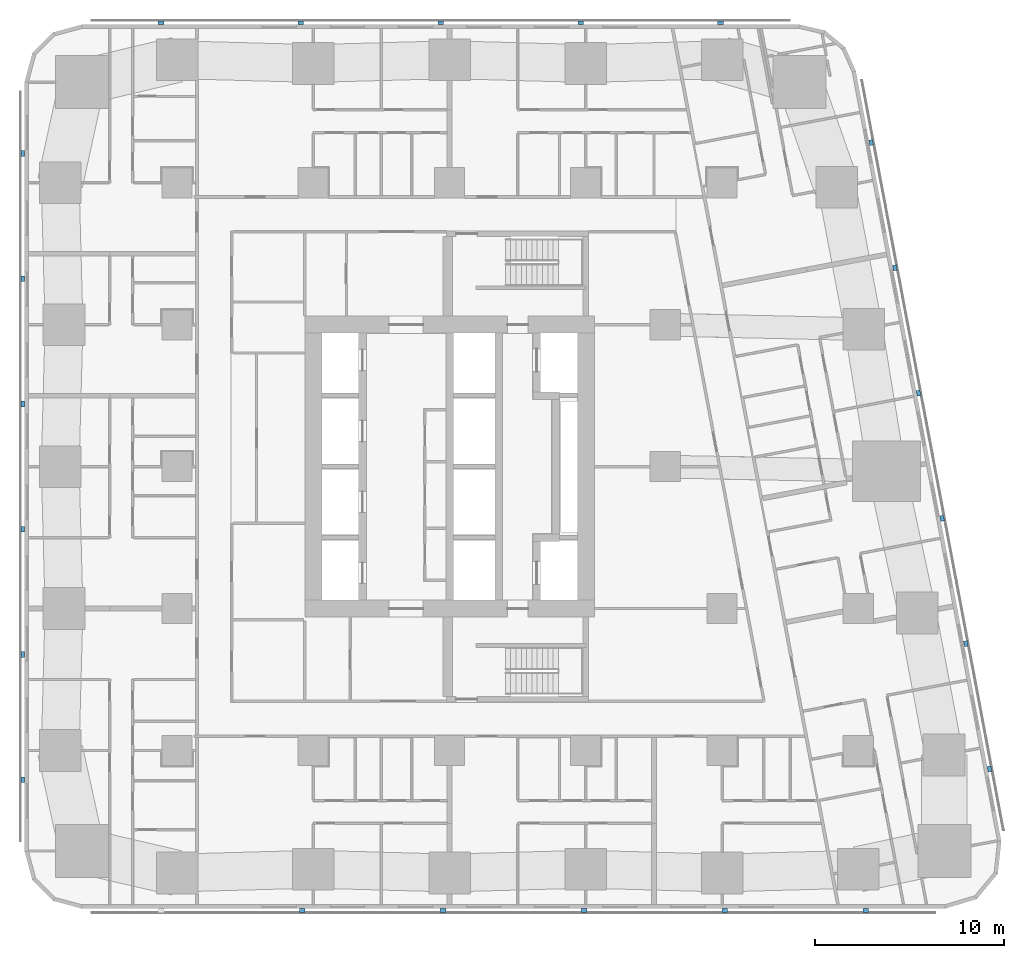
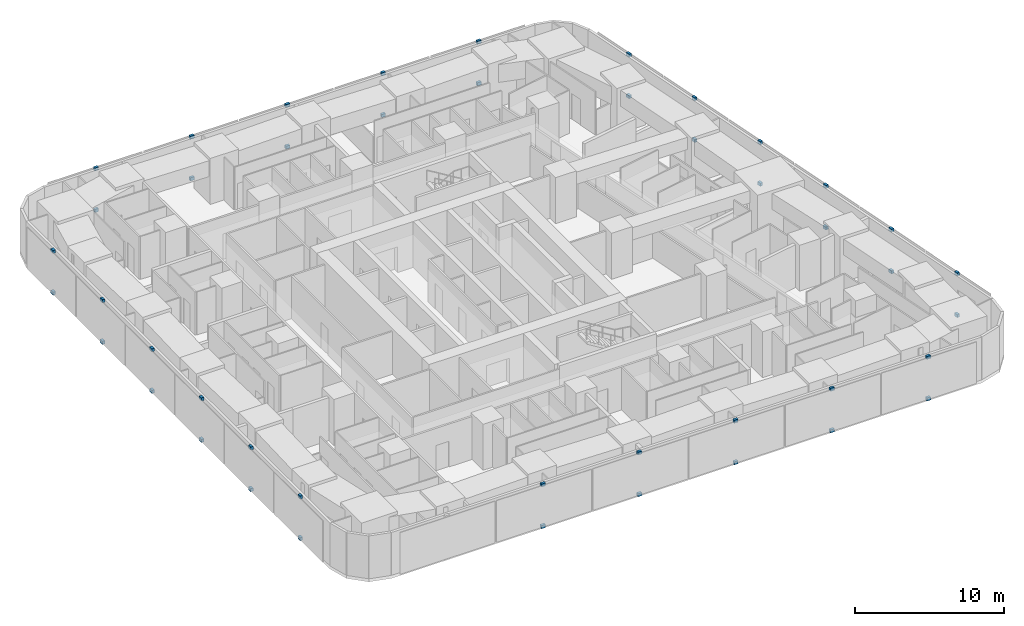
# One storey, part 11 of 15: 44 discrete accessories.
"""IFC4 building model written with IfcOpenShell, lengths in metres."""

from ifc_helpers import new_model, si_unit, direction, frame, origin, origin_2d, place, context, subcontext, project, spatial, rectangle, extrude, material, type_object, element, save


model = new_model("IFC4")

# Units and contexts
model_context = context("Model", 3, precision=1e-05, world=origin(), true_north=direction((0.0, 1.0)))
body_context = subcontext(model_context, "Body", "Model", "MODEL_VIEW")
ifc_project = project(units=[si_unit("LENGTHUNIT", "METRE"), si_unit("AREAUNIT", "SQUARE_METRE"), si_unit("VOLUMEUNIT", "CUBIC_METRE"), si_unit("PLANEANGLEUNIT", "RADIAN"), si_unit("MASSUNIT", "GRAM", prefix="KILO")], contexts=[model_context])

# Site, building, storey
site_placement = place(None, origin())
site = spatial("IfcSite", under=ifc_project, at=site_placement, CompositionType="ELEMENT")
building_placement = place(site_placement, origin())
building = spatial("IfcBuilding", under=site, at=building_placement, Name="Sheger Commons Tower", CompositionType="ELEMENT")
storey_placement = place(building_placement, frame((0.0, 0.0, 107.89990234375)))
storey = spatial("IfcBuildingStorey", under=building, at=storey_placement, Name="L27", CompositionType="ELEMENT", Elevation=107.89990234375)

# Discrete accessories
ifc_material = material(Name="Black painted steel bracket", Category="steel")
discrete_accessory_type = type_object("IfcDiscreteAccessoryType", Name="SCREEN BRACKET 300x200x250", PredefinedType="BRACKET", material=ifc_material)
for number, where, z_axis, x_axis, name in (
    (1, (13.81396484375, -0.949951171875, -0.099853515625), (0.0, 0.0, 1.0), (1.0, 0.0, 0.0), "Solar screen foot bracket"),
    (2, (13.81396484375, -0.949951171875, 3.300048828125), (0.0, 0.0, 1.0), (1.0, 0.0, 0.0), "Solar screen head bracket"),
    (3, (21.257080078125, -0.949951171875, -0.099853515625), (0.0, 0.0, 1.0), (1.0, 0.0, 0.0), "Solar screen foot bracket"),
    (4, (21.257080078125, -0.949951171875, 3.300048828125), (0.0, 0.0, 1.0), (1.0, 0.0, 0.0), "Solar screen head bracket"),
    (5, (28.698974609375, -0.949951171875, -0.099853515625), (0.0, 0.0, 1.0), (1.0, 0.0, 0.0), "Solar screen foot bracket"),
    (6, (28.698974609375, -0.949951171875, 3.300048828125), (0.0, 0.0, 1.0), (1.0, 0.0, 0.0), "Solar screen head bracket"),
    (7, (36.14208984375, -0.949951171875, -0.099853515625), (0.0, 0.0, 1.0), (1.0, 0.0, 0.0), "Solar screen foot bracket"),
    (8, (36.14208984375, -0.949951171875, 3.300048828125), (0.0, 0.0, 1.0), (1.0, 0.0, 0.0), "Solar screen head bracket"),
    (9, (43.5849609375, -0.949951171875, -0.099853515625), (0.0, 0.0, 1.0), (1.0, 0.0, 0.0), "Solar screen foot bracket"),
    (10, (43.5849609375, -0.949951171875, 3.300048828125), (0.0, 0.0, 1.0), (1.0, 0.0, 0.0), "Solar screen head bracket"),
    (11, (50.134033203125, 6.527099609375, -0.099853515625), (0.0, 0.0, 1.0), (-0.185615165645, 0.982622516678, 0.0), "Solar screen foot bracket"),
    (12, (50.134033203125, 6.527099609375, 3.300048828125), (0.0, 0.0, 1.0), (-0.185615165645, 0.982622516678, 0.0), "Solar screen head bracket"),
    (13, (48.884033203125, 13.14599609375, -0.099853515625), (0.0, 0.0, 1.0), (-0.185615165645, 0.982622516678, 0.0), "Solar screen foot bracket"),
    (14, (48.884033203125, 13.14599609375, 3.300048828125), (0.0, 0.0, 1.0), (-0.185615165645, 0.982622516678, 0.0), "Solar screen head bracket"),
    (15, (47.633056640625, 19.76611328125, -0.099853515625), (0.0, 0.0, 1.0), (-0.185615165645, 0.982622516678, 0.0), "Solar screen foot bracket"),
    (16, (47.633056640625, 19.76611328125, 3.300048828125), (0.0, 0.0, 1.0), (-0.185615165645, 0.982622516678, 0.0), "Solar screen head bracket"),
    (17, (46.383056640625, 26.385009765625, -0.099853515625), (0.0, 0.0, 1.0), (-0.185615165645, 0.982622516678, 0.0), "Solar screen foot bracket"),
    (18, (46.383056640625, 26.385009765625, 3.300048828125), (0.0, 0.0, 1.0), (-0.185615165645, 0.982622516678, 0.0), "Solar screen head bracket"),
    (19, (45.133056640625, 33.0048828125, -0.099853515625), (0.0, 0.0, 1.0), (-0.185615165645, 0.982622516678, 0.0), "Solar screen foot bracket"),
    (20, (45.133056640625, 33.0048828125, 3.300048828125), (0.0, 0.0, 1.0), (-0.185615165645, 0.982622516678, 0.0), "Solar screen head bracket"),
    (21, (43.882080078125, 39.6240234375, -0.099853515625), (0.0, 0.0, 1.0), (-0.185615165645, 0.982622516678, 0.0), "Solar screen foot bracket"),
    (22, (43.882080078125, 39.6240234375, 3.300048828125), (0.0, 0.0, 1.0), (-0.185615165645, 0.982622516678, 0.0), "Solar screen head bracket"),
    (23, (35.9208984375, 45.949951171875, -0.099853515625), (0.0, 0.0, 1.0), (-1.0, 0.0, 0.0), "Solar screen foot bracket"),
    (24, (35.9208984375, 45.949951171875, 3.300048828125), (0.0, 0.0, 1.0), (-1.0, 0.0, 0.0), "Solar screen head bracket"),
    (25, (28.528076171875, 45.949951171875, -0.099853515625), (0.0, 0.0, 1.0), (-1.0, 0.0, 0.0), "Solar screen foot bracket"),
    (26, (28.528076171875, 45.949951171875, 3.300048828125), (0.0, 0.0, 1.0), (-1.0, 0.0, 0.0), "Solar screen head bracket"),
    (27, (21.134033203125, 45.949951171875, -0.099853515625), (0.0, 0.0, 1.0), (-1.0, 0.0, 0.0), "Solar screen foot bracket"),
    (28, (21.134033203125, 45.949951171875, 3.300048828125), (0.0, 0.0, 1.0), (-1.0, 0.0, 0.0), "Solar screen head bracket"),
    (29, (13.739990234375, 45.949951171875, -0.099853515625), (0.0, 0.0, 1.0), (-1.0, 0.0, 0.0), "Solar screen foot bracket"),
    (30, (13.739990234375, 45.949951171875, 3.300048828125), (0.0, 0.0, 1.0), (-1.0, 0.0, 0.0), "Solar screen head bracket"),
    (31, (6.346923828125, 45.949951171875, -0.099853515625), (0.0, 0.0, 1.0), (-1.0, 0.0, 0.0), "Solar screen foot bracket"),
    (32, (6.346923828125, 45.949951171875, 3.300048828125), (0.0, 0.0, 1.0), (-1.0, 0.0, 0.0), "Solar screen head bracket"),
    (33, (-0.949951171875, 39.0419921875, -0.099853515625), (0.0, 0.0, 1.0), (0.0, -1.0, 0.0), "Solar screen foot bracket"),
    (34, (-0.949951171875, 39.0419921875, 3.300048828125), (0.0, 0.0, 1.0), (0.0, -1.0, 0.0), "Solar screen head bracket"),
    (35, (-0.949951171875, 32.425048828125, -0.099853515625), (0.0, 0.0, 1.0), (0.0, -1.0, 0.0), "Solar screen foot bracket"),
    (36, (-0.949951171875, 32.425048828125, 3.300048828125), (0.0, 0.0, 1.0), (0.0, -1.0, 0.0), "Solar screen head bracket"),
    (37, (-0.949951171875, 25.80810546875, -0.099853515625), (0.0, 0.0, 1.0), (0.0, -1.0, 0.0), "Solar screen foot bracket"),
    (38, (-0.949951171875, 25.80810546875, 3.300048828125), (0.0, 0.0, 1.0), (0.0, -1.0, 0.0), "Solar screen head bracket"),
    (39, (-0.949951171875, 19.19189453125, -0.099853515625), (0.0, 0.0, 1.0), (0.0, -1.0, 0.0), "Solar screen foot bracket"),
    (40, (-0.949951171875, 19.19189453125, 3.300048828125), (0.0, 0.0, 1.0), (0.0, -1.0, 0.0), "Solar screen head bracket"),
    (41, (-0.949951171875, 12.574951171875, -0.099853515625), (0.0, 0.0, 1.0), (0.0, -1.0, 0.0), "Solar screen foot bracket"),
    (42, (-0.949951171875, 12.574951171875, 3.300048828125), (0.0, 0.0, 1.0), (0.0, -1.0, 0.0), "Solar screen head bracket"),
    (43, (-0.949951171875, 5.9580078125, -0.099853515625), (0.0, 0.0, 1.0), (0.0, -1.0, 0.0), "Solar screen foot bracket"),
    (44, (-0.949951171875, 5.9580078125, 3.300048828125), (0.0, 0.0, 1.0), (0.0, -1.0, 0.0), "Solar screen head bracket"),
):
    element("IfcDiscreteAccessory", number, at=place(storey_placement, frame(where, z_axis=z_axis, x_axis=x_axis)), inside=storey, type_object=discrete_accessory_type, Name=name, PredefinedType="BRACKET", context=body_context, shape_type="SweptSolid", body=[
        extrude(rectangle(XDim=0.300048828125, YDim=0.199951171875, at=origin_2d()), origin(), (0.0, 0.0, 1.0), 0.25),
    ])

save(model, "model.ifc")
